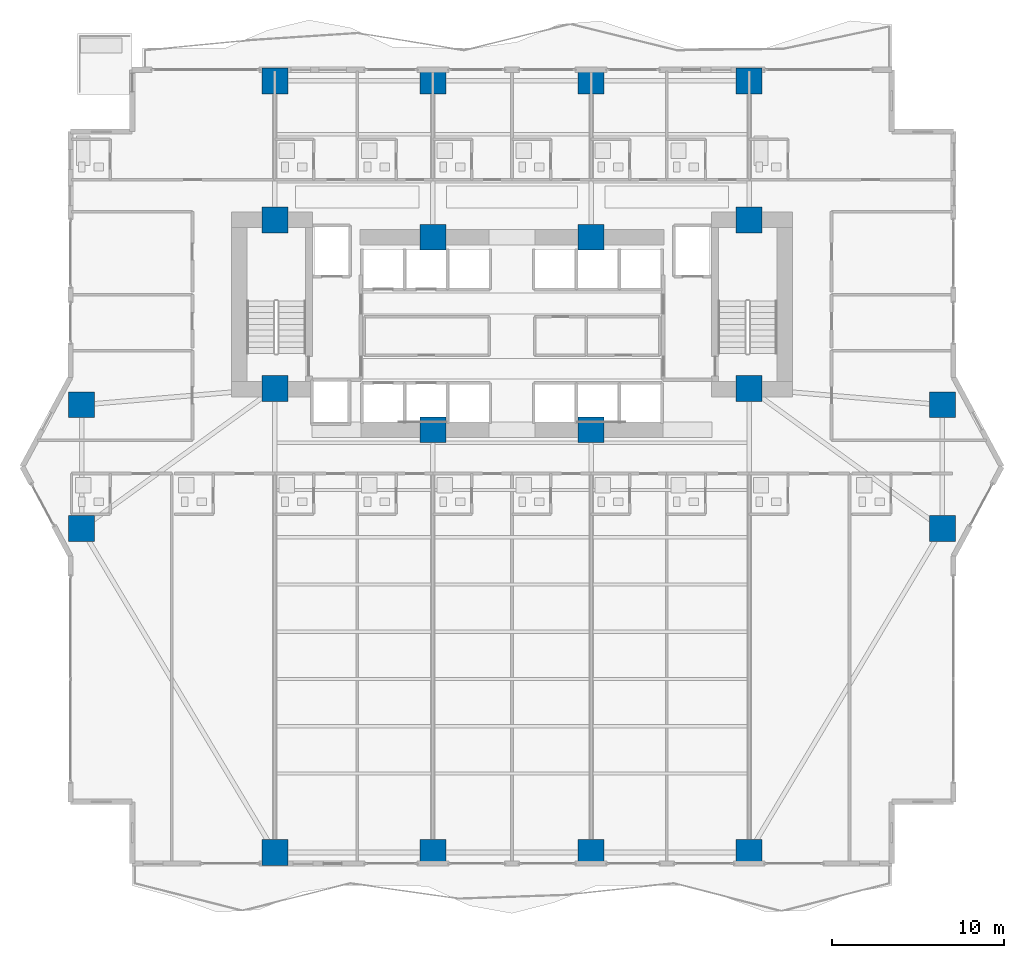
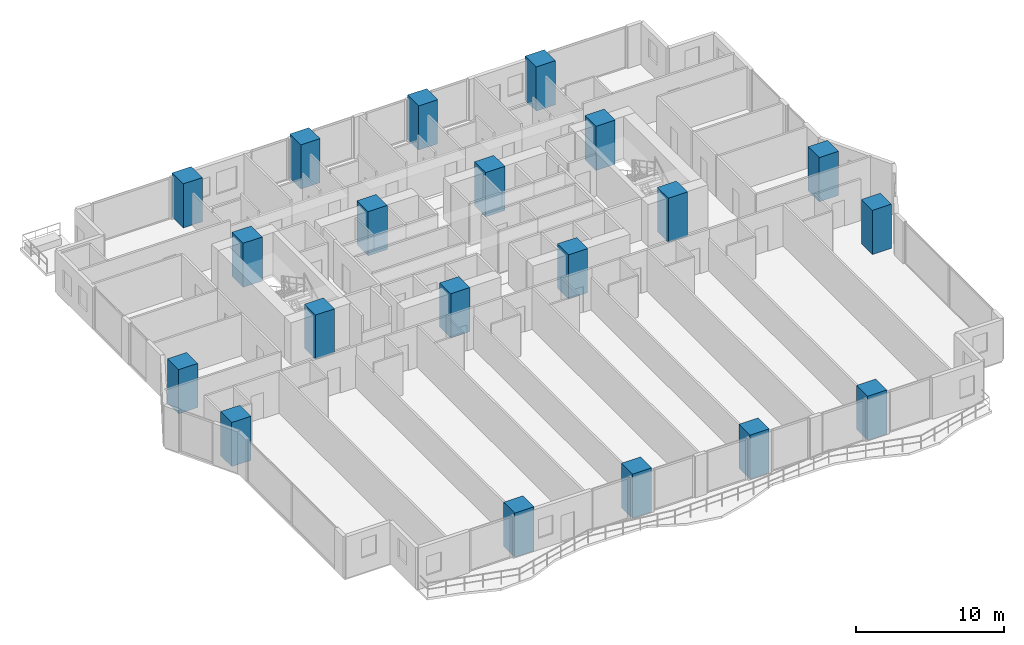
# One storey, part 1 of 29: 20 columns.
"""IFC4 building model written with IfcOpenShell, lengths in metres."""

from ifc_helpers import new_model, si_unit, direction, frame, origin, origin_2d, place, context, subcontext, project, spatial, rectangle, extrude, material, material_profile, profile_set, type_object, element, save


model = new_model("IFC4")

# Units and contexts
model_context = context("Model", 3, precision=1e-05, world=origin(), true_north=direction((0.0, 1.0)))
body_context = subcontext(model_context, "Body", "Model", "MODEL_VIEW")
ifc_project = project(units=[si_unit("LENGTHUNIT", "METRE"), si_unit("AREAUNIT", "SQUARE_METRE"), si_unit("VOLUMEUNIT", "CUBIC_METRE"), si_unit("PLANEANGLEUNIT", "RADIAN"), si_unit("MASSUNIT", "GRAM", prefix="KILO")], contexts=[model_context])

# Site, building, storey
site_placement = place(None, origin())
site = spatial("IfcSite", under=ifc_project, at=site_placement, CompositionType="ELEMENT")
building_placement = place(site_placement, origin())
building = spatial("IfcBuilding", under=site, at=building_placement, Name="Zuhayl Quay Hotel", CompositionType="ELEMENT")
storey_placement = place(building_placement, frame((0.0, 0.0, 60.449951171875)))
storey = spatial("IfcBuildingStorey", under=building, at=storey_placement, Name="L14", CompositionType="ELEMENT", Elevation=60.449951171875)

# Columns
ifc_material = material(Name="Concrete C70/85", Category="concrete")
ifc_material_profile_1 = material_profile(ifc_material, rectangle(XDim=1.5, YDim=1.5, at=origin_2d()), Name="RC1500X1500")
ifc_profile_set_1 = profile_set([ifc_material_profile_1], Name="Concrete C70/85")
column_type_1 = type_object("IfcColumnType", Name="CL_CC1_1500", PredefinedType="COLUMN", material=ifc_profile_set_1)
for number, where, z_axis, x_axis, name in (
    (1, (-13.800048828125, 14.35009765625, 0.0), (0.0, 0.0, 1.0), (1.0, 0.0, 0.0), "L14 Core Column CC_NW"),
    (2, (-4.60009765625, 13.35009765625, 0.0), (0.0, 0.0, 1.0), (1.0, 0.0, 0.0), "L14 Core Column CC_CNW"),
    (3, (4.60009765625, 13.35009765625, 0.0), (0.0, 0.0, 1.0), (1.0, 0.0, 0.0), "L14 Core Column CC_CNE"),
    (4, (13.800048828125, 14.35009765625, 0.0), (0.0, 0.0, 1.0), (1.0, 0.0, 0.0), "L14 Core Column CC_NE"),
    (5, (-13.800048828125, 4.550048828125, 0.0), (0.0, 0.0, 1.0), (1.0, 0.0, 0.0), "L14 Core Column CC_SW"),
    (6, (-4.60009765625, 2.14990234375, 0.0), (0.0, 0.0, 1.0), (1.0, 0.0, 0.0), "L14 Core Column CC_CSW"),
    (7, (4.60009765625, 2.14990234375, 0.0), (0.0, 0.0, 1.0), (1.0, 0.0, 0.0), "L14 Core Column CC_CSE"),
    (8, (13.800048828125, 4.550048828125, 0.0), (0.0, 0.0, 1.0), (1.0, 0.0, 0.0), "L14 Core Column CC_SE"),
):
    element("IfcColumn", number, at=place(storey_placement, frame(where, z_axis=z_axis, x_axis=x_axis)), inside=storey, type_object=column_type_1, Name=name, PredefinedType="COLUMN", context=body_context, shape_type="SweptSolid", body=[
        extrude(rectangle(XDim=1.5, YDim=1.5, at=origin_2d()), origin(), (0.0, 0.0, 1.0), 3.650146484375),
    ])
ifc_material_profile_2 = material_profile(ifc_material, rectangle(XDim=1.5, YDim=1.5, at=origin_2d()), Name="RC1500X1500")
ifc_profile_set_2 = profile_set([ifc_material_profile_2], Name="Concrete C70/85")
column_type_2 = type_object("IfcColumnType", Name="CL_MC1_1500", PredefinedType="COLUMN", material=ifc_profile_set_2)
for number, where, z_axis, x_axis, name in (
    (9, (-13.800048828125, -22.449951171875, 0.0), (0.0, 0.0, 1.0), (1.0, 0.0, 0.0), "L14 Mega-Column MC_S1"),
    (10, (-4.60009765625, -22.449951171875, 0.0), (0.0, 0.0, 1.0), (1.0, 0.0, 0.0), "L14 Mega-Column MC_S2"),
    (11, (4.60009765625, -22.449951171875, 0.0), (0.0, 0.0, 1.0), (1.0, 0.0, 0.0), "L14 Mega-Column MC_S3"),
    (12, (13.800048828125, -22.449951171875, 0.0), (0.0, 0.0, 1.0), (1.0, 0.0, 0.0), "L14 Mega-Column MC_S4"),
    (13, (-13.800048828125, 22.449951171875, 0.0), (0.0, 0.0, 1.0), (1.0, 0.0, 0.0), "L14 Mega-Column MC_N1"),
    (14, (-4.60009765625, 22.449951171875, 0.0), (0.0, 0.0, 1.0), (1.0, 0.0, 0.0), "L14 Mega-Column MC_N2"),
    (15, (4.60009765625, 22.449951171875, 0.0), (0.0, 0.0, 1.0), (1.0, 0.0, 0.0), "L14 Mega-Column MC_N3"),
    (16, (13.800048828125, 22.449951171875, 0.0), (0.0, 0.0, 1.0), (1.0, 0.0, 0.0), "L14 Mega-Column MC_N4"),
    (17, (-25.050048828125, -3.60009765625, 0.0), (0.0, 0.0, 1.0), (1.0, 0.0, 0.0), "L14 Mega-Column MC_W1"),
    (18, (-25.050048828125, 3.60009765625, 0.0), (0.0, 0.0, 1.0), (1.0, 0.0, 0.0), "L14 Mega-Column MC_W2"),
    (19, (25.050048828125, -3.60009765625, 0.0), (0.0, 0.0, 1.0), (1.0, 0.0, 0.0), "L14 Mega-Column MC_E1"),
    (20, (25.050048828125, 3.60009765625, 0.0), (0.0, 0.0, 1.0), (1.0, 0.0, 0.0), "L14 Mega-Column MC_E2"),
):
    element("IfcColumn", number, at=place(storey_placement, frame(where, z_axis=z_axis, x_axis=x_axis)), inside=storey, type_object=column_type_2, Name=name, PredefinedType="COLUMN", context=body_context, shape_type="SweptSolid", body=[
        extrude(rectangle(XDim=1.5, YDim=1.5, at=origin_2d()), origin(), (0.0, 0.0, 1.0), 3.650146484375),
    ])

save(model, "model.ifc")
